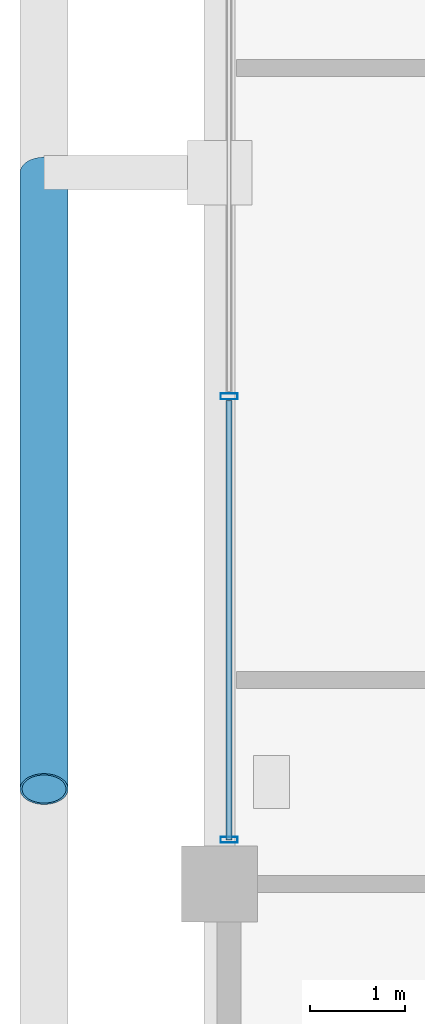
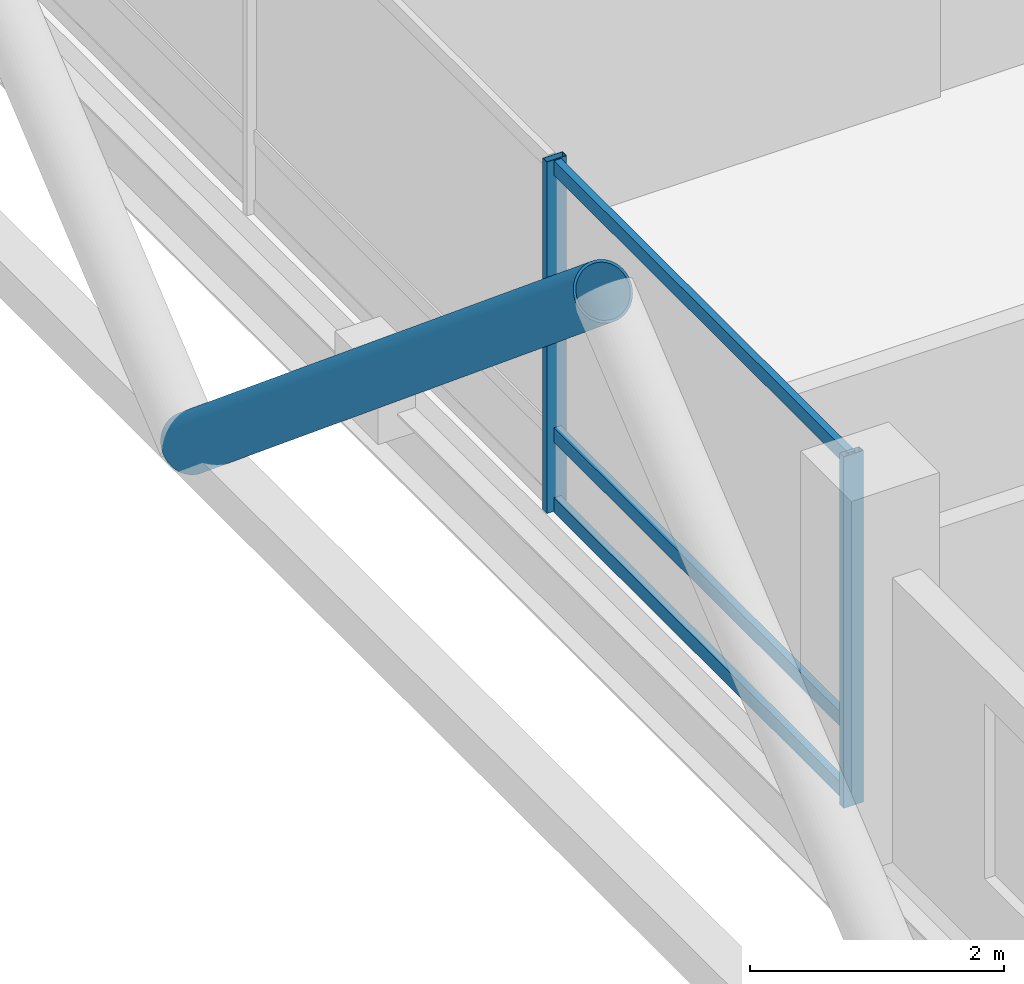
# One storey, part 5 of 24: 6 members, 1 element without a shape of its own.
"""IFC4 building model written with IfcOpenShell, lengths in metres."""

from ifc_helpers import new_model, si_unit, direction, frame, origin, origin_2d, place, context, subcontext, project, spatial, hollow_rectangle, hollow_circle, extrude, material, layer, layer_set, material_profile, profile_set, type_object, element, aggregate, save


model = new_model("IFC4")

# Units and contexts
model_context = context("Model", 3, precision=1e-05, world=origin(), true_north=direction((0.0, 1.0)))
body_context = subcontext(model_context, "Body", "Model", "MODEL_VIEW")
ifc_project = project(units=[si_unit("LENGTHUNIT", "METRE"), si_unit("AREAUNIT", "SQUARE_METRE"), si_unit("VOLUMEUNIT", "CUBIC_METRE"), si_unit("PLANEANGLEUNIT", "RADIAN"), si_unit("MASSUNIT", "GRAM", prefix="KILO")], contexts=[model_context])

# Site, building, storey
site_placement = place(None, origin())
site = spatial("IfcSite", under=ifc_project, at=site_placement, CompositionType="ELEMENT")
building_placement = place(site_placement, origin())
building = spatial("IfcBuilding", under=site, at=building_placement, Name="Barlavira Tower and Art Museum", CompositionType="ELEMENT")
storey_placement = place(building_placement, frame((0.0, 0.0, 154.800048828125)))
storey = spatial("IfcBuildingStorey", under=building, at=storey_placement, Name="L39", CompositionType="ELEMENT", Elevation=154.800048828125)

# Curtain wall, members
ifc_material_1 = material(Name="Low-iron coastal laminated glass", Category="glass")
ifc_layer = layer(ifc_material_1, 0.18994140625, Name="Low-iron coastal laminated glass")
ifc_layer_set = layer_set([ifc_layer], Name="Low-iron coastal laminated glass")
curtain_wall_type = type_object("IfcCurtainWallType", Name="Pale-Metal Unitised Curtain Wall Zone 2", PredefinedType="NOTDEFINED", material=ifc_layer_set)
curtain_wall_placement = place(storey_placement, origin())
curtain_wall = element("IfcCurtainWall", 1, at=curtain_wall_placement, inside=storey, type_object=curtain_wall_type, Name="L39 Curtain Wall CW2-L39-W-B3", PredefinedType="NOTDEFINED")
ifc_material_2 = material(Name="Pale anodised aluminium", Category="aluminium")
ifc_material_profile_1 = material_profile(ifc_material_2, hollow_rectangle(XDim=0.06494140625, YDim=0.179931640625, WallThickness=0.00390625, at=origin_2d()), Name="ALU-MULL 65x180x4")
ifc_profile_set_1 = profile_set([ifc_material_profile_1], Name="Pale anodised aluminium")
member_type_1 = type_object("IfcMemberType", Name="Curtain Wall Pale-Metal Mullion 65x180", PredefinedType="MULLION", material=ifc_profile_set_1)
member_1_placement = place(storey_placement, frame((-20.14990234375, -2.360107421875, 0.0), z_axis=(0.0, 0.0, 1.0), x_axis=(0.0, -1.0, 0.0)))
member_1 = element("IfcMember", 2, at=member_1_placement, type_object=member_type_1, Name="CW2-L39-W-B3 Mullion 2", PredefinedType="MULLION", context=body_context, shape_type="SweptSolid", body=[
    extrude(hollow_rectangle(XDim=0.06494140625, YDim=0.179931640625, WallThickness=0.00390625, at=origin_2d()), origin(), (0.0, 0.0, 1.0), 3.3798828125),
])
member_2_placement = place(storey_placement, frame((-20.14990234375, -7.034912109375, 0.0), z_axis=(0.0, 0.0, 1.0), x_axis=(0.0, -1.0, 0.0)))
member_2 = element("IfcMember", 3, at=member_2_placement, type_object=member_type_1, Name="CW2-L39-W-B3 Mullion 3", PredefinedType="MULLION", context=body_context, shape_type="SweptSolid", body=[
    extrude(hollow_rectangle(XDim=0.06494140625, YDim=0.179931640625, WallThickness=0.00390625, at=origin_2d()), origin(), (0.0, 0.0, 1.0), 3.3798828125),
])
ifc_material_profile_2 = material_profile(ifc_material_2, hollow_rectangle(XDim=0.06494140625, YDim=0.139892578125, WallThickness=0.00390625, at=origin_2d()), Name="ALU-TRAN 65x140x4")
ifc_profile_set_2 = profile_set([ifc_material_profile_2], Name="Pale anodised aluminium")
member_type_2 = type_object("IfcMemberType", Name="Curtain Wall Pale-Metal Transom 65x140", PredefinedType="USERDEFINED", material=ifc_profile_set_2)
member_3_placement = place(storey_placement, frame((-20.14990234375, -2.405029296875, 0.070068359375), z_axis=(0.0, -1.0, 0.0), x_axis=(1.0, 0.0, 0.0)))
member_3 = element("IfcMember", 4, at=member_3_placement, type_object=member_type_2, Name="CW2-L39-W-B3 Transom 2.1", ObjectType="TRANSOM", PredefinedType="USERDEFINED", context=body_context, shape_type="SweptSolid", body=[
    extrude(hollow_rectangle(XDim=0.06494140625, YDim=0.139892578125, WallThickness=0.00390625, at=origin_2d()), origin(), (0.0, 0.0, 1.0), 4.6298828125),
])
member_4_placement = place(storey_placement, frame((-20.14990234375, -2.405029296875, 0.743896484375), z_axis=(0.0, -1.0, 0.0), x_axis=(1.0, 0.0, 0.0)))
member_4 = element("IfcMember", 5, at=member_4_placement, type_object=member_type_2, Name="CW2-L39-W-B3 Transom 2.2", ObjectType="TRANSOM", PredefinedType="USERDEFINED", context=body_context, shape_type="SweptSolid", body=[
    extrude(hollow_rectangle(XDim=0.06494140625, YDim=0.139892578125, WallThickness=0.00390625, at=origin_2d()), origin(), (0.0, 0.0, 1.0), 4.6298828125),
])
member_5_placement = place(storey_placement, frame((-20.14990234375, -2.405029296875, 3.31005859375), z_axis=(0.0, -1.0, 0.0), x_axis=(1.0, 0.0, 0.0)))
member_5 = element("IfcMember", 6, at=member_5_placement, type_object=member_type_2, Name="CW2-L39-W-B3 Transom 2.3", ObjectType="TRANSOM", PredefinedType="USERDEFINED", context=body_context, shape_type="SweptSolid", body=[
    extrude(hollow_rectangle(XDim=0.06494140625, YDim=0.139892578125, WallThickness=0.00390625, at=origin_2d()), origin(), (0.0, 0.0, 1.0), 4.6298828125),
])
aggregate(curtain_wall, [member_1, member_2, member_3, member_4, member_5])

# Member
ifc_material_3 = material(Name="Steel S355", Category="steel")
ifc_material_profile_3 = material_profile(ifc_material_3, hollow_circle(Radius=0.25390625, WallThickness=0.022216796875, at=origin_2d()), Name="CHS 508.0x22.2")
ifc_profile_set_3 = profile_set([ifc_material_profile_3], Name="Steel S355")
member_type_3 = type_object("IfcMemberType", Name="Pale-Metal Exoskeleton Diagrid Tube CHS 508x22 Steel S355", PredefinedType="BRACE", material=ifc_profile_set_3)
member_6_placement = place(storey_placement, frame((-22.10009765625, 0.0, -0.1201171875), z_axis=(0.0, -0.76918185268, 0.639029950399), x_axis=(1.0, 0.0, 0.0)))
element("IfcMember", 7, at=member_6_placement, inside=storey, type_object=member_type_3, Name="L39 Exoskeleton Diagrid Tube W", PredefinedType="BRACE", context=body_context, shape_type="SweptSolid", body=[
    extrude(hollow_circle(Radius=0.25390625, WallThickness=0.022216796875, at=origin_2d()), origin(), (0.0, 0.0, 1.0), 8.450439453125),
])

save(model, "model.ifc")
